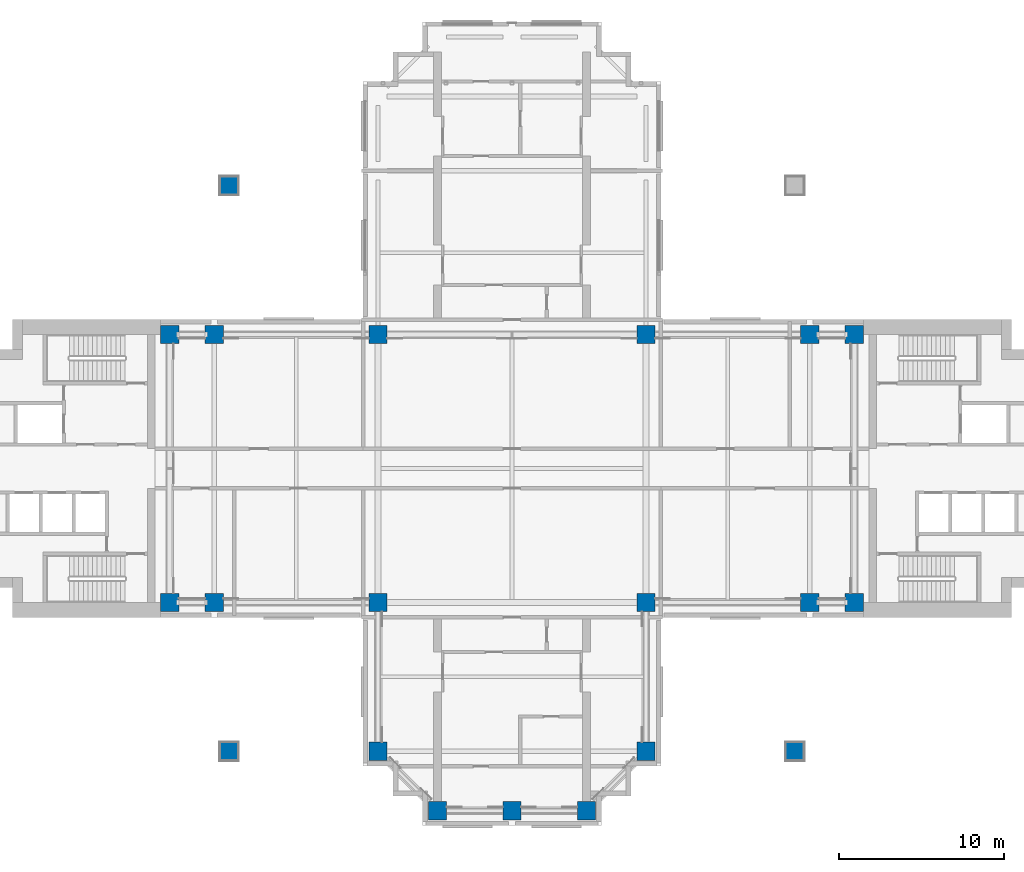
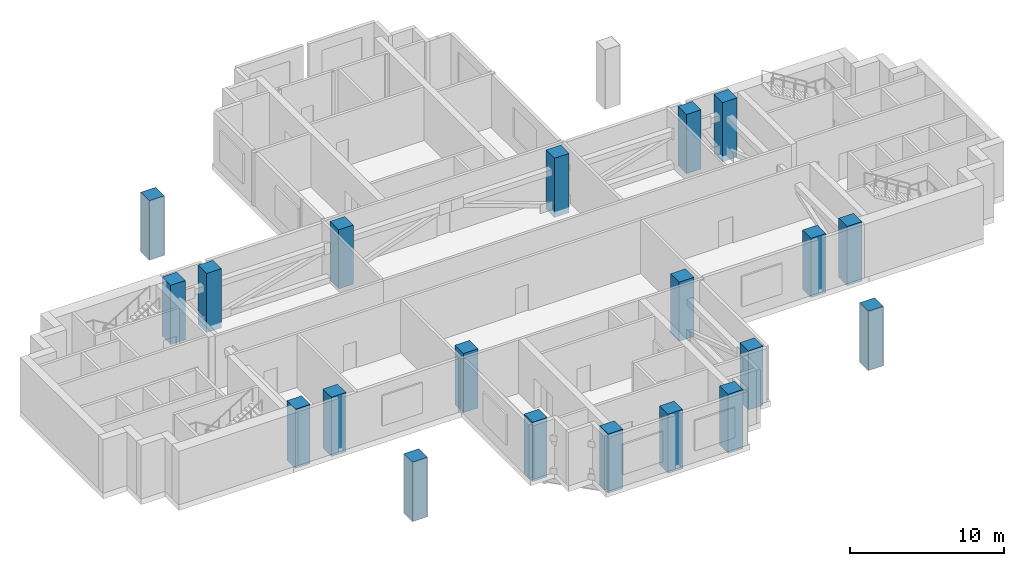
# One storey, part 1 of 11: 20 columns.
"""IFC4 building model written with IfcOpenShell, lengths in metres."""

from ifc_helpers import new_model, si_unit, direction, frame, origin, origin_2d, place, context, subcontext, project, spatial, rectangle, extrude, material, material_profile, profile_set, type_object, element, save


model = new_model("IFC4")

# Units and contexts
model_context = context("Model", 3, precision=1e-05, world=origin(), true_north=direction((0.0, 1.0)))
body_context = subcontext(model_context, "Body", "Model", "MODEL_VIEW")
ifc_project = project(units=[si_unit("LENGTHUNIT", "METRE"), si_unit("AREAUNIT", "SQUARE_METRE"), si_unit("VOLUMEUNIT", "CUBIC_METRE"), si_unit("PLANEANGLEUNIT", "RADIAN"), si_unit("MASSUNIT", "GRAM", prefix="KILO")], contexts=[model_context])

# Site, building, storey
site_placement = place(None, origin())
site = spatial("IfcSite", under=ifc_project, at=site_placement, CompositionType="ELEMENT")
building_placement = place(site_placement, origin())
building = spatial("IfcBuilding", under=site, at=building_placement, Name="Perihelion Cross Residences", CompositionType="ELEMENT")
storey_placement = place(building_placement, frame((0.0, 0.0, 162.10009765625)))
storey = spatial("IfcBuildingStorey", under=building, at=storey_placement, Name="L39", CompositionType="ELEMENT", Elevation=162.10009765625)

# Columns
ifc_material = material(Name="Concrete C60/75", Category="concrete")
ifc_material_profile = material_profile(ifc_material, rectangle(XDim=1.10009765625, YDim=1.10009765625, at=origin_2d()), Name="RC 1100x1100")
ifc_profile_set = profile_set([ifc_material_profile], Name="Concrete C60/75")
column_type = type_object("IfcColumnType", Name="Reinforced concrete column 1100x1100 C60/75", PredefinedType="COLUMN", material=ifc_profile_set)
for number, where, z_axis, x_axis, name in (
    (1, (-20.699951171875, -8.10009765625, -0.4501953125), (0.0, 0.0, 1.0), (1.0, 0.0, 0.0), "Column C017 L39 no. 1"),
    (2, (-20.699951171875, 8.10009765625, -0.4501953125), (0.0, 0.0, 1.0), (1.0, 0.0, 0.0), "Column C010 L39 no. 1"),
    (3, (-18.0, -8.10009765625, -0.4501953125), (0.0, 0.0, 1.0), (1.0, 0.0, 0.0), "Column C018 L39 no. 1"),
    (4, (-18.0, 8.10009765625, -0.4501953125), (0.0, 0.0, 1.0), (1.0, 0.0, 0.0), "Column C011 L39 no. 1"),
    (5, (-8.10009765625, -17.10009765625, -0.4501953125), (0.0, 0.0, 1.0), (1.0, 0.0, 0.0), "Column C031 L39 no. 1"),
    (6, (-8.10009765625, -8.10009765625, -0.4501953125), (0.0, 0.0, 1.0), (1.0, 0.0, 0.0), "Column C019 L39 no. 1"),
    (7, (-8.10009765625, 8.10009765625, -0.4501953125), (0.0, 0.0, 1.0), (1.0, 0.0, 0.0), "Column C012 L39 no. 1"),
    (8, (-4.5, -20.699951171875, -0.4501953125), (0.0, 0.0, 1.0), (1.0, 0.0, 0.0), "Column C037 L39 no. 1"),
    (9, (0.0, -20.699951171875, -0.4501953125), (0.0, 0.0, 1.0), (1.0, 0.0, 0.0), "Column C038 L39 no. 1"),
    (10, (4.5, -20.699951171875, -0.4501953125), (0.0, 0.0, 1.0), (1.0, 0.0, 0.0), "Column C039 L39 no. 1"),
    (11, (8.10009765625, -17.10009765625, -0.4501953125), (0.0, 0.0, 1.0), (1.0, 0.0, 0.0), "Column C035 L39 no. 1"),
    (12, (8.10009765625, -8.10009765625, -0.4501953125), (0.0, 0.0, 1.0), (1.0, 0.0, 0.0), "Column C020 L39 no. 1"),
    (13, (8.10009765625, 8.10009765625, -0.4501953125), (0.0, 0.0, 1.0), (1.0, 0.0, 0.0), "Column C014 L39 no. 1"),
    (14, (18.0, -8.10009765625, -0.4501953125), (0.0, 0.0, 1.0), (1.0, 0.0, 0.0), "Column C021 L39 no. 1"),
    (15, (18.0, 8.10009765625, -0.4501953125), (0.0, 0.0, 1.0), (1.0, 0.0, 0.0), "Column C015 L39 no. 1"),
    (16, (20.699951171875, -8.10009765625, -0.4501953125), (0.0, 0.0, 1.0), (1.0, 0.0, 0.0), "Column C022 L39 no. 1"),
    (17, (20.699951171875, 8.10009765625, -0.4501953125), (0.0, 0.0, 1.0), (1.0, 0.0, 0.0), "Column C016 L39 no. 1"),
    (18, (-17.10009765625, 17.10009765625, -0.4501953125), (0.0, 0.0, 1.0), (1.0, 0.0, 0.0), "Column C008 L39 no. 1"),
    (19, (-17.10009765625, -17.10009765625, -0.4501953125), (0.0, 0.0, 1.0), (1.0, 0.0, 0.0), "Column C030 L39 no. 1"),
    (20, (17.10009765625, -17.10009765625, -0.4501953125), (0.0, 0.0, 1.0), (1.0, 0.0, 0.0), "Column C036 L39 no. 1"),
):
    element("IfcColumn", number, at=place(storey_placement, frame(where, z_axis=z_axis, x_axis=x_axis)), inside=storey, type_object=column_type, Name=name, PredefinedType="COLUMN", context=body_context, shape_type="SweptSolid", body=[
        extrude(rectangle(XDim=1.10009765625, YDim=1.10009765625, at=origin_2d()), origin(), (0.0, 0.0, 1.0), 4.7001953125),
    ])

save(model, "model.ifc")
